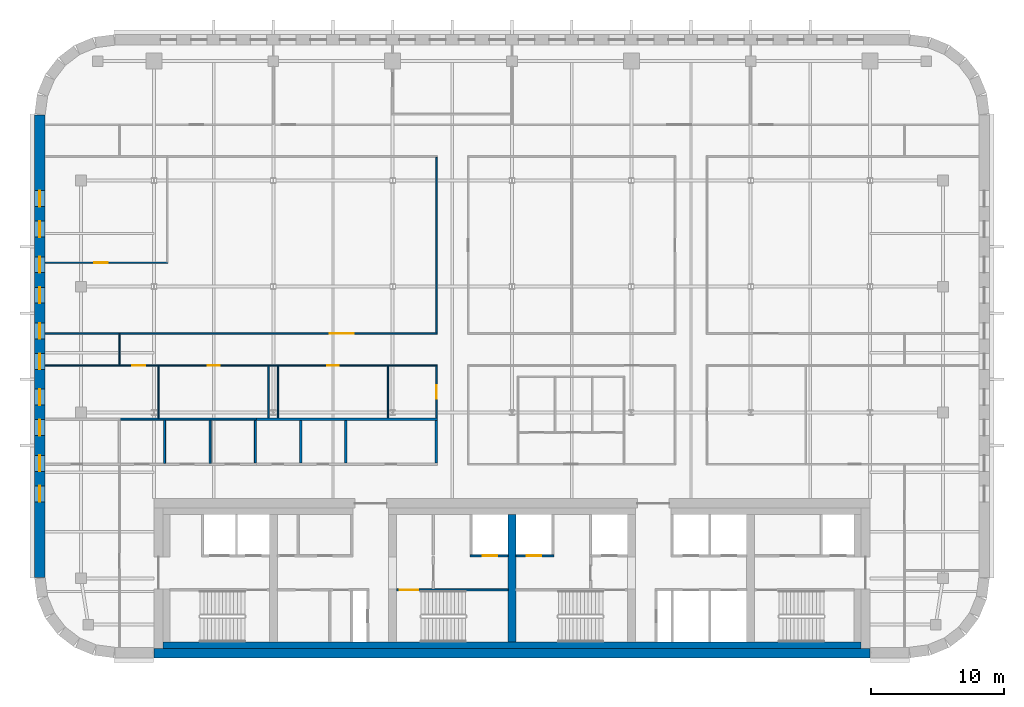
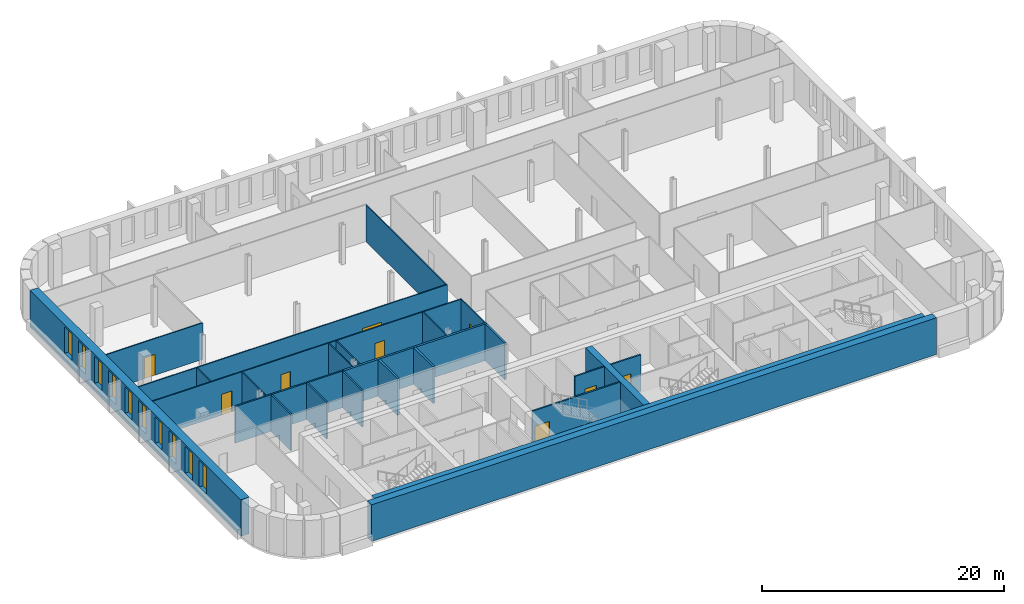
# One storey, part 7 of 15: 25 walls, 10 windows, 9 doors, 19 openings.
"""IFC4 building model written with IfcOpenShell, lengths in metres."""

from ifc_helpers import new_model, si_unit, direction, frame, frame_2d, origin, place, context, subcontext, project, spatial, rectangle, extrude, material, layer, layer_set, type_object, element, fill, save


model = new_model("IFC4")

# Units and contexts
model_context = context("Model", 3, precision=1e-05, world=origin(), true_north=direction((0.0, 1.0)))
body_context = subcontext(model_context, "Body", "Model", "MODEL_VIEW")
ifc_project = project(units=[si_unit("LENGTHUNIT", "METRE"), si_unit("AREAUNIT", "SQUARE_METRE"), si_unit("VOLUMEUNIT", "CUBIC_METRE"), si_unit("PLANEANGLEUNIT", "RADIAN"), si_unit("MASSUNIT", "GRAM", prefix="KILO")], contexts=[model_context])

# Site, building, storey
site_placement = place(None, origin())
site = spatial("IfcSite", under=ifc_project, at=site_placement, CompositionType="ELEMENT")
building_placement = place(site_placement, origin())
building = spatial("IfcBuilding", under=site, at=building_placement, Name="Zellij Exchange Tower", CompositionType="ELEMENT")
storey_placement = place(building_placement, frame((0.0, 0.0, 260.5)))
storey = spatial("IfcBuildingStorey", under=building, at=storey_placement, Name="L61", CompositionType="ELEMENT", Elevation=260.5)

# Walls
ifc_material_1 = material(Name="Concrete C50/60", Category="concrete")
ifc_layer_1 = layer(ifc_material_1, 0.60009765625)
ifc_layer_set_1 = layer_set([ifc_layer_1], Name="Concrete C50/60")
wall_type_1 = type_object("IfcWallType", Name="CORE-CW 600 C50/60", PredefinedType="SHEAR", material=ifc_layer_set_1)
wall_1_placement = place(storey_placement, frame((0.0, -12.800048828125, 0.0), z_axis=(0.0, 0.0, 1.0), x_axis=(0.0, 1.0, 0.0)))
element("IfcWall", 1, at=wall_1_placement, inside=storey, type_object=wall_type_1, Name="Core cross wall x 0 L61", PredefinedType="SHEAR", context=body_context, shape_type="SweptSolid", body=[
    extrude(rectangle(XDim=9.60009765625, YDim=0.60009765625, at=frame_2d((4.800048828125, 0.0))), origin(), (0.0, 0.0, 1.0), 3.699951171875),
])
ifc_material_2 = material(Name="Concrete C30/37", Category="concrete")
ifc_layer_2 = layer(ifc_material_2, 0.5)
ifc_layer_set_2 = layer_set([ifc_layer_2], Name="Concrete C30/37")
wall_type_2 = type_object("IfcWallType", Name="CORE-LW 500 C30/37", PredefinedType="SHEAR", material=ifc_layer_set_2)
wall_2_placement = place(storey_placement, frame((-26.300048828125, -13.050048828125, 0.0), z_axis=(0.0, 0.0, 1.0), x_axis=(1.0, 0.0, 0.0)))
element("IfcWall", 2, at=wall_2_placement, inside=storey, type_object=wall_type_2, Name="Core wall lining rear.0 L61", PredefinedType="SHEAR", context=body_context, shape_type="SweptSolid", body=[
    extrude(rectangle(XDim=52.60009765625, YDim=0.5, at=frame_2d((26.300048828125, 0.0))), origin(), (0.0, 0.0, 1.0), 3.699951171875),
])

# Wall, opening, door
ifc_material_3 = material(Name="Gypsum shaft wall system")
ifc_layer_3 = layer(ifc_material_3, 0.14990234375)
ifc_layer_set_3 = layer_set([ifc_layer_3], Name="Gypsum shaft wall system")
wall_type_3 = type_object("IfcWallType", Name="CORE-PW 150 Lift shaft wall", PredefinedType="PARTITIONING", material=ifc_layer_set_3)
wall_3_placement = place(storey_placement, frame((-3.14990234375, -6.300048828125, 0.0), z_axis=(0.0, 0.0, 1.0), x_axis=(1.0, 0.0, 0.0)))
wall_3 = element("IfcWall", 3, at=wall_3_placement, inside=storey, type_object=wall_type_3, Name="Lift shaft wall L61", PredefinedType="PARTITIONING", context=body_context, shape_type="SweptSolid", body=[
    extrude(rectangle(XDim=2.849853515625, YDim=0.14990234375, at=frame_2d((1.4248046875, 0.0))), origin(), (0.0, 0.0, 1.0), 3.699951171875),
])
opening_1_placement = place(wall_3_placement, frame((0.949951171875, 0.0, 0.0)))
opening_1 = element("IfcOpeningElement", 4, at=opening_1_placement, cuts=wall_3, Name="Opening CA-31.13", PredefinedType="OPENING", context=body_context, shape_type="SweptSolid", body=[
    extrude(rectangle(XDim=1.10009765625, YDim=2.10009765625, at=frame_2d((0.550048828125, 1.050048828125))), frame((0.0, 0.0869140625, 0.0), z_axis=(0.0, -1.0, 0.0), x_axis=(1.0, 0.0, 0.0)), (0.0, 0.0, 1.0), 0.173828125),
])
ifc_material_4 = material(Name="Hollow metal fire door")
door_type_1 = type_object("IfcDoorType", Name="CORE-D LD Lift landing door 1100x2100 1.5 HR", OperationType="NOTDEFINED", PredefinedType="DOOR", material=ifc_material_4)
door_1_placement = place(opening_1_placement, origin())
door_1 = element("IfcDoor", 5, at=door_1_placement, inside=storey, type_object=door_type_1, Name="Lift landing door CA-31.13", OperationType="SLIDING_TO_LEFT", OverallHeight=2.10009765625, OverallWidth=1.10009765625, PredefinedType="DOOR", context=body_context, shape_type="SweptSolid", body=[
    extrude(rectangle(XDim=1.10009765625, YDim=2.10009765625, at=frame_2d((0.550048828125, 1.050048828125))), frame((0.0, 0.02490234375, 0.0), z_axis=(0.0, -1.0, 0.0), x_axis=(1.0, 0.0, 0.0)), (0.0, 0.0, 1.0), 0.050048828125),
])
fill(opening_1, door_1)

wall_4_placement = place(storey_placement, frame((0.300048828125, -6.300048828125, 0.0), z_axis=(0.0, 0.0, 1.0), x_axis=(1.0, 0.0, 0.0)))
wall_4 = element("IfcWall", 6, at=wall_4_placement, inside=storey, type_object=wall_type_3, Name="Lift shaft wall L61", PredefinedType="PARTITIONING", context=body_context, shape_type="SweptSolid", body=[
    extrude(rectangle(XDim=2.849853515625, YDim=0.14990234375, at=frame_2d((1.4248046875, 0.0))), origin(), (0.0, 0.0, 1.0), 3.699951171875),
])
opening_2_placement = place(wall_4_placement, frame((0.800048828125, 0.0, 0.0)))
opening_2 = element("IfcOpeningElement", 7, at=opening_2_placement, cuts=wall_4, Name="Opening CA-31.14", PredefinedType="OPENING", context=body_context, shape_type="SweptSolid", body=[
    extrude(rectangle(XDim=1.10009765625, YDim=2.10009765625, at=frame_2d((0.550048828125, 1.050048828125))), frame((0.0, 0.0869140625, 0.0), z_axis=(0.0, -1.0, 0.0), x_axis=(1.0, 0.0, 0.0)), (0.0, 0.0, 1.0), 0.173828125),
])
door_2_placement = place(opening_2_placement, origin())
door_2 = element("IfcDoor", 8, at=door_2_placement, inside=storey, type_object=door_type_1, Name="Lift landing door CA-31.14", OperationType="SLIDING_TO_RIGHT", OverallHeight=2.10009765625, OverallWidth=1.10009765625, PredefinedType="DOOR", context=body_context, shape_type="SweptSolid", body=[
    extrude(rectangle(XDim=1.10009765625, YDim=2.10009765625, at=frame_2d((0.550048828125, 1.050048828125))), frame((0.0, 0.02490234375, 0.0), z_axis=(0.0, -1.0, 0.0), x_axis=(1.0, 0.0, 0.0)), (0.0, 0.0, 1.0), 0.050048828125),
])
fill(opening_2, door_2)

# Wall
ifc_layer_4 = layer(ifc_material_1, 0.699951171875)
ifc_layer_set_4 = layer_set([ifc_layer_4], Name="Concrete C50/60")
wall_type_4 = type_object("IfcWallType", Name="CORE-SW 700 C50/60", PredefinedType="SHEAR", material=ifc_layer_set_4)
wall_5_placement = place(storey_placement, frame((-27.0, -13.64990234375, 0.0), z_axis=(0.0, 0.0, 1.0), x_axis=(1.0, 0.0, 0.0)))
element("IfcWall", 9, at=wall_5_placement, inside=storey, type_object=wall_type_4, Name="Core shear wall rear L61", PredefinedType="SHEAR", context=body_context, shape_type="SweptSolid", body=[
    extrude(rectangle(XDim=54.0, YDim=0.699951171875, at=frame_2d((27.0, 0.0))), origin(), (0.0, 0.0, 1.0), 3.699951171875),
])

# Wall, opening, door
ifc_layer_5 = layer(ifc_material_1, 0.14990234375)
ifc_layer_set_5 = layer_set([ifc_layer_5], Name="Concrete C50/60")
wall_type_5 = type_object("IfcWallType", Name="CORE-SWS 150 C50/60", PredefinedType="SHEAR", material=ifc_layer_set_5)
wall_6_placement = place(storey_placement, frame((-8.699951171875, -8.875, 0.0), z_axis=(0.0, 0.0, 1.0), x_axis=(1.0, 0.0, 0.0)))
wall_6 = element("IfcWall", 10, at=wall_6_placement, inside=storey, type_object=wall_type_5, Name="Stair enclosure wall L61", PredefinedType="SHEAR", context=body_context, shape_type="SweptSolid", body=[
    extrude(rectangle(XDim=8.39990234375, YDim=0.14990234375, at=frame_2d((4.199951171875, 0.0))), origin(), (0.0, 0.0, 1.0), 3.699951171875),
])
opening_3_placement = place(wall_6_placement, frame((0.22509765625, 0.0, 0.0)))
opening_3 = element("IfcOpeningElement", 11, at=opening_3_placement, cuts=wall_6, Name="Opening CA-31.11", PredefinedType="OPENING", context=body_context, shape_type="SweptSolid", body=[
    extrude(rectangle(XDim=1.39990234375, YDim=2.10009765625, at=frame_2d((0.699951171875, 1.050048828125))), frame((0.0, 0.0869140625, 0.0), z_axis=(0.0, -1.0, 0.0), x_axis=(1.0, 0.0, 0.0)), (0.0, 0.0, 1.0), 0.173828125),
])
door_type_2 = type_object("IfcDoorType", Name="CORE-D SD Stair door 1400x2100 1.5 HR", OperationType="NOTDEFINED", PredefinedType="DOOR", material=ifc_material_4)
door_3_placement = place(opening_3_placement, origin())
door_3 = element("IfcDoor", 12, at=door_3_placement, inside=storey, type_object=door_type_2, Name="Stair door CA-31.11", OperationType="DOUBLE_DOOR_SINGLE_SWING", OverallHeight=2.10009765625, OverallWidth=1.39990234375, PredefinedType="DOOR", context=body_context, shape_type="SweptSolid", body=[
    extrude(rectangle(XDim=1.39990234375, YDim=2.10009765625, at=frame_2d((0.699951171875, 1.050048828125))), frame((0.0, 0.02490234375, 0.0), z_axis=(0.0, -1.0, 0.0), x_axis=(1.0, 0.0, 0.0)), (0.0, 0.0, 1.0), 0.050048828125),
])
fill(opening_3, door_3)

# Wall, openings, windows
ifc_material_5 = material(Name="Precast concrete C40/50", Category="concrete")
ifc_layer_6 = layer(ifc_material_5, 0.800048828125)
ifc_layer_set_6 = layer_set([ifc_layer_6], Name="Precast concrete C40/50")
wall_type_6 = type_object("IfcWallType", Name="ENV-EW1 Precast stone-piered wall 800", PredefinedType="SOLIDWALL", material=ifc_layer_set_6)
wall_7_placement = place(storey_placement, frame((-35.60009765625, 26.947509765625, 0.0), z_axis=(0.0, 0.0, 1.0), x_axis=(0.0, -1.0, 0.0)))
wall_7 = element("IfcWall", 13, at=wall_7_placement, inside=storey, type_object=wall_type_6, Name="fac.L61.21", PredefinedType="SOLIDWALL", context=body_context, shape_type="SweptSolid", body=[
    extrude(rectangle(XDim=34.89501953125, YDim=0.800048828125, at=frame_2d((17.447509765625, 0.0))), origin(), (0.0, 0.0, 1.0), 3.699951171875),
])
opening_4_placement = place(wall_7_placement, frame((5.71240234375, 0.0, 0.800048828125)))
opening_4 = element("IfcOpeningElement", 14, at=opening_4_placement, cuts=wall_7, Name="Opening FZ4.35", PredefinedType="OPENING", context=body_context, shape_type="SweptSolid", body=[
    extrude(rectangle(XDim=1.199951171875, YDim=2.699951171875, at=frame_2d((0.60009765625, 1.35009765625))), frame((0.0, 0.412109375, 0.0), z_axis=(0.0, -1.0, 0.0), x_axis=(1.0, 0.0, 0.0)), (0.0, 0.0, 1.0), 0.823974609375),
])
opening_5_placement = place(wall_7_placement, frame((8.0126953125, 0.0, 0.800048828125)))
opening_5 = element("IfcOpeningElement", 15, at=opening_5_placement, cuts=wall_7, Name="Opening FZ4.36", PredefinedType="OPENING", context=body_context, shape_type="SweptSolid", body=[
    extrude(rectangle(XDim=1.199951171875, YDim=2.699951171875, at=frame_2d((0.60009765625, 1.35009765625))), frame((0.0, 0.412109375, 0.0), z_axis=(0.0, -1.0, 0.0), x_axis=(1.0, 0.0, 0.0)), (0.0, 0.0, 1.0), 0.823974609375),
])
opening_6_placement = place(wall_7_placement, frame((10.705078125, 0.0, 0.800048828125)))
opening_6 = element("IfcOpeningElement", 16, at=opening_6_placement, cuts=wall_7, Name="Opening FZ4.37", PredefinedType="OPENING", context=body_context, shape_type="SweptSolid", body=[
    extrude(rectangle(XDim=1.199951171875, YDim=2.699951171875, at=frame_2d((0.60009765625, 1.35009765625))), frame((0.0, 0.412109375, 0.0), z_axis=(0.0, -1.0, 0.0), x_axis=(1.0, 0.0, 0.0)), (0.0, 0.0, 1.0), 0.823974609375),
])
opening_7_placement = place(wall_7_placement, frame((13.005126953125, 0.0, 0.800048828125)))
opening_7 = element("IfcOpeningElement", 17, at=opening_7_placement, cuts=wall_7, Name="Opening FZ4.38", PredefinedType="OPENING", context=body_context, shape_type="SweptSolid", body=[
    extrude(rectangle(XDim=1.199951171875, YDim=2.699951171875, at=frame_2d((0.60009765625, 1.35009765625))), frame((0.0, 0.412109375, 0.0), z_axis=(0.0, -1.0, 0.0), x_axis=(1.0, 0.0, 0.0)), (0.0, 0.0, 1.0), 0.823974609375),
])
opening_8_placement = place(wall_7_placement, frame((15.697509765625, 0.0, 0.800048828125)))
opening_8 = element("IfcOpeningElement", 18, at=opening_8_placement, cuts=wall_7, Name="Opening FZ4.39", PredefinedType="OPENING", context=body_context, shape_type="SweptSolid", body=[
    extrude(rectangle(XDim=1.199951171875, YDim=2.699951171875, at=frame_2d((0.60009765625, 1.35009765625))), frame((0.0, 0.412109375, 0.0), z_axis=(0.0, -1.0, 0.0), x_axis=(1.0, 0.0, 0.0)), (0.0, 0.0, 1.0), 0.823974609375),
])
opening_9_placement = place(wall_7_placement, frame((17.99755859375, 0.0, 0.800048828125)))
opening_9 = element("IfcOpeningElement", 19, at=opening_9_placement, cuts=wall_7, Name="Opening FZ4.40", PredefinedType="OPENING", context=body_context, shape_type="SweptSolid", body=[
    extrude(rectangle(XDim=1.199951171875, YDim=2.699951171875, at=frame_2d((0.60009765625, 1.35009765625))), frame((0.0, 0.412109375, 0.0), z_axis=(0.0, -1.0, 0.0), x_axis=(1.0, 0.0, 0.0)), (0.0, 0.0, 1.0), 0.823974609375),
])
opening_10_placement = place(wall_7_placement, frame((20.690185546875, 0.0, 0.800048828125)))
opening_10 = element("IfcOpeningElement", 20, at=opening_10_placement, cuts=wall_7, Name="Opening FZ4.41", PredefinedType="OPENING", context=body_context, shape_type="SweptSolid", body=[
    extrude(rectangle(XDim=1.199951171875, YDim=2.699951171875, at=frame_2d((0.60009765625, 1.35009765625))), frame((0.0, 0.412109375, 0.0), z_axis=(0.0, -1.0, 0.0), x_axis=(1.0, 0.0, 0.0)), (0.0, 0.0, 1.0), 0.823974609375),
])
opening_11_placement = place(wall_7_placement, frame((22.989990234375, 0.0, 0.800048828125)))
opening_11 = element("IfcOpeningElement", 21, at=opening_11_placement, cuts=wall_7, Name="Opening FZ4.42", PredefinedType="OPENING", context=body_context, shape_type="SweptSolid", body=[
    extrude(rectangle(XDim=1.199951171875, YDim=2.699951171875, at=frame_2d((0.60009765625, 1.35009765625))), frame((0.0, 0.412109375, 0.0), z_axis=(0.0, -1.0, 0.0), x_axis=(1.0, 0.0, 0.0)), (0.0, 0.0, 1.0), 0.823974609375),
])
opening_12_placement = place(wall_7_placement, frame((25.6826171875, 0.0, 0.800048828125)))
opening_12 = element("IfcOpeningElement", 22, at=opening_12_placement, cuts=wall_7, Name="Opening FZ4.43", PredefinedType="OPENING", context=body_context, shape_type="SweptSolid", body=[
    extrude(rectangle(XDim=1.199951171875, YDim=2.699951171875, at=frame_2d((0.60009765625, 1.35009765625))), frame((0.0, 0.412109375, 0.0), z_axis=(0.0, -1.0, 0.0), x_axis=(1.0, 0.0, 0.0)), (0.0, 0.0, 1.0), 0.823974609375),
])
opening_13_placement = place(wall_7_placement, frame((27.982666015625, 0.0, 0.800048828125)))
opening_13 = element("IfcOpeningElement", 23, at=opening_13_placement, cuts=wall_7, Name="Opening FZ4.44", PredefinedType="OPENING", context=body_context, shape_type="SweptSolid", body=[
    extrude(rectangle(XDim=1.199951171875, YDim=2.699951171875, at=frame_2d((0.60009765625, 1.35009765625))), frame((0.0, 0.412109375, 0.0), z_axis=(0.0, -1.0, 0.0), x_axis=(1.0, 0.0, 0.0)), (0.0, 0.0, 1.0), 0.823974609375),
])
ifc_material_6 = material(Name="Aluminium frame with insulating glass", Category="aluminium")
window_type = type_object("IfcWindowType", Name="ENV-W9 Window 1200x2700", PartitioningType="SINGLE_PANEL", PredefinedType="WINDOW", material=ifc_material_6)
window_1_placement = place(opening_4_placement, origin())
window_1 = element("IfcWindow", 24, at=window_1_placement, inside=storey, type_object=window_type, Name="Window FZ4.35", OverallHeight=2.699951171875, OverallWidth=1.199951171875, PartitioningType="SINGLE_PANEL", PredefinedType="WINDOW", context=body_context, shape_type="SweptSolid", body=[
    extrude(rectangle(XDim=1.199951171875, YDim=2.699951171875, at=frame_2d((0.60009765625, 1.35009765625))), frame((0.0, 0.030029296875, 0.0), z_axis=(0.0, -1.0, 0.0), x_axis=(1.0, 0.0, 0.0)), (0.0, 0.0, 1.0), 0.06005859375),
])
fill(opening_4, window_1)
window_2_placement = place(opening_5_placement, origin())
window_2 = element("IfcWindow", 25, at=window_2_placement, inside=storey, type_object=window_type, Name="Window FZ4.36", OverallHeight=2.699951171875, OverallWidth=1.199951171875, PartitioningType="SINGLE_PANEL", PredefinedType="WINDOW", context=body_context, shape_type="SweptSolid", body=[
    extrude(rectangle(XDim=1.199951171875, YDim=2.699951171875, at=frame_2d((0.60009765625, 1.35009765625))), frame((0.0, 0.030029296875, 0.0), z_axis=(0.0, -1.0, 0.0), x_axis=(1.0, 0.0, 0.0)), (0.0, 0.0, 1.0), 0.06005859375),
])
fill(opening_5, window_2)
window_3_placement = place(opening_6_placement, origin())
window_3 = element("IfcWindow", 26, at=window_3_placement, inside=storey, type_object=window_type, Name="Window FZ4.37", OverallHeight=2.699951171875, OverallWidth=1.199951171875, PartitioningType="SINGLE_PANEL", PredefinedType="WINDOW", context=body_context, shape_type="SweptSolid", body=[
    extrude(rectangle(XDim=1.199951171875, YDim=2.699951171875, at=frame_2d((0.60009765625, 1.35009765625))), frame((0.0, 0.030029296875, 0.0), z_axis=(0.0, -1.0, 0.0), x_axis=(1.0, 0.0, 0.0)), (0.0, 0.0, 1.0), 0.06005859375),
])
fill(opening_6, window_3)
window_4_placement = place(opening_7_placement, origin())
window_4 = element("IfcWindow", 27, at=window_4_placement, inside=storey, type_object=window_type, Name="Window FZ4.38", OverallHeight=2.699951171875, OverallWidth=1.199951171875, PartitioningType="SINGLE_PANEL", PredefinedType="WINDOW", context=body_context, shape_type="SweptSolid", body=[
    extrude(rectangle(XDim=1.199951171875, YDim=2.699951171875, at=frame_2d((0.60009765625, 1.35009765625))), frame((0.0, 0.030029296875, 0.0), z_axis=(0.0, -1.0, 0.0), x_axis=(1.0, 0.0, 0.0)), (0.0, 0.0, 1.0), 0.06005859375),
])
fill(opening_7, window_4)
window_5_placement = place(opening_8_placement, origin())
window_5 = element("IfcWindow", 28, at=window_5_placement, inside=storey, type_object=window_type, Name="Window FZ4.39", OverallHeight=2.699951171875, OverallWidth=1.199951171875, PartitioningType="SINGLE_PANEL", PredefinedType="WINDOW", context=body_context, shape_type="SweptSolid", body=[
    extrude(rectangle(XDim=1.199951171875, YDim=2.699951171875, at=frame_2d((0.60009765625, 1.35009765625))), frame((0.0, 0.030029296875, 0.0), z_axis=(0.0, -1.0, 0.0), x_axis=(1.0, 0.0, 0.0)), (0.0, 0.0, 1.0), 0.06005859375),
])
fill(opening_8, window_5)
window_6_placement = place(opening_9_placement, origin())
window_6 = element("IfcWindow", 29, at=window_6_placement, inside=storey, type_object=window_type, Name="Window FZ4.40", OverallHeight=2.699951171875, OverallWidth=1.199951171875, PartitioningType="SINGLE_PANEL", PredefinedType="WINDOW", context=body_context, shape_type="SweptSolid", body=[
    extrude(rectangle(XDim=1.199951171875, YDim=2.699951171875, at=frame_2d((0.60009765625, 1.35009765625))), frame((0.0, 0.030029296875, 0.0), z_axis=(0.0, -1.0, 0.0), x_axis=(1.0, 0.0, 0.0)), (0.0, 0.0, 1.0), 0.06005859375),
])
fill(opening_9, window_6)
window_7_placement = place(opening_10_placement, origin())
window_7 = element("IfcWindow", 30, at=window_7_placement, inside=storey, type_object=window_type, Name="Window FZ4.41", OverallHeight=2.699951171875, OverallWidth=1.199951171875, PartitioningType="SINGLE_PANEL", PredefinedType="WINDOW", context=body_context, shape_type="SweptSolid", body=[
    extrude(rectangle(XDim=1.199951171875, YDim=2.699951171875, at=frame_2d((0.60009765625, 1.35009765625))), frame((0.0, 0.030029296875, 0.0), z_axis=(0.0, -1.0, 0.0), x_axis=(1.0, 0.0, 0.0)), (0.0, 0.0, 1.0), 0.06005859375),
])
fill(opening_10, window_7)
window_8_placement = place(opening_11_placement, origin())
window_8 = element("IfcWindow", 31, at=window_8_placement, inside=storey, type_object=window_type, Name="Window FZ4.42", OverallHeight=2.699951171875, OverallWidth=1.199951171875, PartitioningType="SINGLE_PANEL", PredefinedType="WINDOW", context=body_context, shape_type="SweptSolid", body=[
    extrude(rectangle(XDim=1.199951171875, YDim=2.699951171875, at=frame_2d((0.60009765625, 1.35009765625))), frame((0.0, 0.030029296875, 0.0), z_axis=(0.0, -1.0, 0.0), x_axis=(1.0, 0.0, 0.0)), (0.0, 0.0, 1.0), 0.06005859375),
])
fill(opening_11, window_8)
window_9_placement = place(opening_12_placement, origin())
window_9 = element("IfcWindow", 32, at=window_9_placement, inside=storey, type_object=window_type, Name="Window FZ4.43", OverallHeight=2.699951171875, OverallWidth=1.199951171875, PartitioningType="SINGLE_PANEL", PredefinedType="WINDOW", context=body_context, shape_type="SweptSolid", body=[
    extrude(rectangle(XDim=1.199951171875, YDim=2.699951171875, at=frame_2d((0.60009765625, 1.35009765625))), frame((0.0, 0.030029296875, 0.0), z_axis=(0.0, -1.0, 0.0), x_axis=(1.0, 0.0, 0.0)), (0.0, 0.0, 1.0), 0.06005859375),
])
fill(opening_12, window_9)
window_10_placement = place(opening_13_placement, origin())
window_10 = element("IfcWindow", 33, at=window_10_placement, inside=storey, type_object=window_type, Name="Window FZ4.44", OverallHeight=2.699951171875, OverallWidth=1.199951171875, PartitioningType="SINGLE_PANEL", PredefinedType="WINDOW", context=body_context, shape_type="SweptSolid", body=[
    extrude(rectangle(XDim=1.199951171875, YDim=2.699951171875, at=frame_2d((0.60009765625, 1.35009765625))), frame((0.0, 0.030029296875, 0.0), z_axis=(0.0, -1.0, 0.0), x_axis=(1.0, 0.0, 0.0)), (0.0, 0.0, 1.0), 0.06005859375),
])
fill(opening_13, window_10)

# Walls
ifc_material_7 = material(Name="Blockwork partition", Category="masonry")
ifc_layer_7 = layer(ifc_material_7, 0.199951171875)
ifc_layer_set_7 = layer_set([ifc_layer_7], Name="Blockwork partition")
wall_type_7 = type_object("IfcWallType", Name="FIT-BLOCKWORK-200", PredefinedType="PARTITIONING", material=ifc_layer_set_7)
for number, where, z_axis, x_axis, name in (
    (34, (-15.93994140625, 0.699951171875, 0.0), (0.0, 0.0, 1.0), (0.0, 1.0, 0.0), "FIT-BLOCKWORK-200 011"),
    (35, (-12.530029296875, 0.699951171875, 0.0), (0.0, 0.0, 1.0), (0.0, 1.0, 0.0), "FIT-BLOCKWORK-200 012"),
    (36, (-5.699951171875, 0.699951171875, 0.0), (0.0, 0.0, 1.0), (0.0, 1.0, 0.0), "FIT-BLOCKWORK-200 013"),
):
    element("IfcWall", number, at=place(storey_placement, frame(where, z_axis=z_axis, x_axis=x_axis)), inside=storey, type_object=wall_type_7, Name=name, PredefinedType="PARTITIONING", context=body_context, shape_type="SweptSolid", body=[
        extrude(rectangle(XDim=3.199951171875, YDim=0.199951171875, at=frame_2d((1.60009765625, 0.0))), origin(), (0.0, 0.0, 1.0), 3.699951171875),
    ])
wall_8_placement = place(storey_placement, frame((-19.43505859375, 4.0, 0.0), z_axis=(0.0, 0.0, 1.0), x_axis=(1.0, 0.0, 0.0)))
element("IfcWall", 37, at=wall_8_placement, inside=storey, type_object=wall_type_7, Name="FIT-BLOCKWORK-200 028", PredefinedType="PARTITIONING", context=body_context, shape_type="SweptSolid", body=[
    extrude(rectangle(XDim=13.8349609375, YDim=0.199951171875, at=frame_2d((6.91748046875, 0.0))), origin(), (0.0, 0.0, 1.0), 3.699951171875),
])
ifc_material_8 = material(Name="Gypsum board partition on steel studs", Category="steel")
ifc_layer_8 = layer(ifc_material_8, 0.10009765625)
ifc_layer_set_8 = layer_set([ifc_layer_8], Name="Gypsum board partition on steel studs")
wall_type_8 = type_object("IfcWallType", Name="FIT-PARTITION-100", PredefinedType="PARTITIONING", material=ifc_layer_set_8)
wall_9_placement = place(storey_placement, frame((-26.64990234375, 4.074951171875, 0.0), z_axis=(0.0, 0.0, 1.0), x_axis=(0.0, 1.0, 0.0)))
element("IfcWall", 38, at=wall_9_placement, inside=storey, type_object=wall_type_8, Name="FIT-PARTITION-100 027", PredefinedType="PARTITIONING", context=body_context, shape_type="SweptSolid", body=[
    extrude(rectangle(XDim=3.925048828125, YDim=0.10009765625, at=frame_2d((1.96240234375, 0.0))), origin(), (0.0, 0.0, 1.0), 3.699951171875),
])
for number, where, z_axis, x_axis, name in (
    (39, (-18.35009765625, 4.10009765625, 0.0), (0.0, 0.0, 1.0), (0.0, 1.0, 0.0), "FIT-PARTITION-100 029"),
    (40, (-17.64990234375, 4.10009765625, 0.0), (0.0, 0.0, 1.0), (0.0, 1.0, 0.0), "FIT-PARTITION-100 030"),
    (41, (-9.35009765625, 4.10009765625, 0.0), (0.0, 0.0, 1.0), (0.0, 1.0, 0.0), "FIT-PARTITION-100 031"),
):
    element("IfcWall", number, at=place(storey_placement, frame(where, z_axis=z_axis, x_axis=x_axis)), inside=storey, type_object=wall_type_8, Name=name, PredefinedType="PARTITIONING", context=body_context, shape_type="SweptSolid", body=[
        extrude(rectangle(XDim=3.89990234375, YDim=0.10009765625, at=frame_2d((1.949951171875, 0.0))), origin(), (0.0, 0.0, 1.0), 3.699951171875),
    ])

# Wall, opening, door
wall_10_placement = place(storey_placement, frame((-5.699951171875, 4.10009765625, 0.0), z_axis=(0.0, 0.0, 1.0), x_axis=(0.0, 1.0, 0.0)))
wall_10 = element("IfcWall", 42, at=wall_10_placement, inside=storey, type_object=wall_type_8, Name="FIT-PARTITION-100 032", PredefinedType="PARTITIONING", context=body_context, shape_type="SweptSolid", body=[
    extrude(rectangle(XDim=3.89990234375, YDim=0.10009765625, at=frame_2d((1.949951171875, 0.0))), origin(), (0.0, 0.0, 1.0), 3.699951171875),
])
opening_14_placement = place(wall_10_placement, frame((1.449951171875, 0.0, 0.0)))
opening_14 = element("IfcOpeningElement", 43, at=opening_14_placement, cuts=wall_10, Name="Opening O4F.16", PredefinedType="OPENING", context=body_context, shape_type="SweptSolid", body=[
    extrude(rectangle(XDim=1.0, YDim=2.10009765625, at=frame_2d((0.5, 1.050048828125))), frame((0.0, 0.06201171875, 0.0), z_axis=(0.0, -1.0, 0.0), x_axis=(1.0, 0.0, 0.0)), (0.0, 0.0, 1.0), 0.1240234375),
])
ifc_material_9 = material(Name="Timber door set", Category="wood")
door_type_3 = type_object("IfcDoorType", Name="FIT-D2-WIDE-1000X2100", OperationType="SINGLE_SWING_LEFT", PredefinedType="DOOR", material=ifc_material_9)
door_4_placement = place(opening_14_placement, origin())
door_4 = element("IfcDoor", 44, at=door_4_placement, inside=storey, type_object=door_type_3, Name="Door O4F.16", OperationType="SINGLE_SWING_LEFT", OverallHeight=2.10009765625, OverallWidth=1.0, PredefinedType="DOOR", context=body_context, shape_type="SweptSolid", body=[
    extrude(rectangle(XDim=1.0, YDim=2.10009765625, at=frame_2d((0.5, 1.050048828125))), frame((0.0, 0.02490234375, 0.0), z_axis=(0.0, -1.0, 0.0), x_axis=(1.0, 0.0, 0.0)), (0.0, 0.0, 1.0), 0.050048828125),
])
fill(opening_14, door_4)

# Wall, openings, doors
wall_11_placement = place(storey_placement, frame((-35.199951171875, 8.050048828125, 0.0), z_axis=(0.0, 0.0, 1.0), x_axis=(1.0, 0.0, 0.0)))
wall_11 = element("IfcWall", 45, at=wall_11_placement, inside=storey, type_object=wall_type_8, Name="FIT-PARTITION-100 034", PredefinedType="PARTITIONING", context=body_context, shape_type="SweptSolid", body=[
    extrude(rectangle(XDim=29.550048828125, YDim=0.10009765625, at=frame_2d((14.77490234375, 0.0))), origin(), (0.0, 0.0, 1.0), 3.699951171875),
])
opening_15_placement = place(wall_11_placement, frame((6.550048828125, 0.0, 0.0)))
opening_15 = element("IfcOpeningElement", 46, at=opening_15_placement, cuts=wall_11, Name="Opening O4F.17", PredefinedType="OPENING", context=body_context, shape_type="SweptSolid", body=[
    extrude(rectangle(XDim=1.0, YDim=2.10009765625, at=frame_2d((0.5, 1.050048828125))), frame((0.0, 0.06201171875, 0.0), z_axis=(0.0, -1.0, 0.0), x_axis=(1.0, 0.0, 0.0)), (0.0, 0.0, 1.0), 0.1240234375),
])
opening_16_placement = place(wall_11_placement, frame((12.25, 0.0, 0.0)))
opening_16 = element("IfcOpeningElement", 47, at=opening_16_placement, cuts=wall_11, Name="Opening O4F.18", PredefinedType="OPENING", context=body_context, shape_type="SweptSolid", body=[
    extrude(rectangle(XDim=0.89990234375, YDim=2.10009765625, at=frame_2d((0.449951171875, 1.050048828125))), frame((0.0, 0.06201171875, 0.0), z_axis=(0.0, -1.0, 0.0), x_axis=(1.0, 0.0, 0.0)), (0.0, 0.0, 1.0), 0.1240234375),
])
opening_17_placement = place(wall_11_placement, frame((21.25, 0.0, 0.0)))
opening_17 = element("IfcOpeningElement", 48, at=opening_17_placement, cuts=wall_11, Name="Opening O4F.19", PredefinedType="OPENING", context=body_context, shape_type="SweptSolid", body=[
    extrude(rectangle(XDim=0.89990234375, YDim=2.10009765625, at=frame_2d((0.449951171875, 1.050048828125))), frame((0.0, 0.06201171875, 0.0), z_axis=(0.0, -1.0, 0.0), x_axis=(1.0, 0.0, 0.0)), (0.0, 0.0, 1.0), 0.1240234375),
])
door_type_4 = type_object("IfcDoorType", Name="FIT-D1-ROOM-900X2100", OperationType="SINGLE_SWING_LEFT", PredefinedType="DOOR", material=ifc_material_9)
door_5_placement = place(opening_16_placement, origin())
door_5 = element("IfcDoor", 49, at=door_5_placement, inside=storey, type_object=door_type_4, Name="Door O4F.18", OperationType="SINGLE_SWING_LEFT", OverallHeight=2.10009765625, OverallWidth=0.89990234375, PredefinedType="DOOR", context=body_context, shape_type="SweptSolid", body=[
    extrude(rectangle(XDim=0.89990234375, YDim=2.10009765625, at=frame_2d((0.449951171875, 1.050048828125))), frame((0.0, 0.02490234375, 0.0), z_axis=(0.0, -1.0, 0.0), x_axis=(1.0, 0.0, 0.0)), (0.0, 0.0, 1.0), 0.050048828125),
])
fill(opening_16, door_5)
door_6_placement = place(opening_17_placement, origin())
door_6 = element("IfcDoor", 50, at=door_6_placement, inside=storey, type_object=door_type_4, Name="Door O4F.19", OperationType="SINGLE_SWING_LEFT", OverallHeight=2.10009765625, OverallWidth=0.89990234375, PredefinedType="DOOR", context=body_context, shape_type="SweptSolid", body=[
    extrude(rectangle(XDim=0.89990234375, YDim=2.10009765625, at=frame_2d((0.449951171875, 1.050048828125))), frame((0.0, 0.02490234375, 0.0), z_axis=(0.0, -1.0, 0.0), x_axis=(1.0, 0.0, 0.0)), (0.0, 0.0, 1.0), 0.050048828125),
])
fill(opening_17, door_6)
door_7_placement = place(opening_15_placement, origin())
door_7 = element("IfcDoor", 51, at=door_7_placement, inside=storey, type_object=door_type_3, Name="Door O4F.17", OperationType="SINGLE_SWING_LEFT", OverallHeight=2.10009765625, OverallWidth=1.0, PredefinedType="DOOR", context=body_context, shape_type="SweptSolid", body=[
    extrude(rectangle(XDim=1.0, YDim=2.10009765625, at=frame_2d((0.5, 1.050048828125))), frame((0.0, 0.02490234375, 0.0), z_axis=(0.0, -1.0, 0.0), x_axis=(1.0, 0.0, 0.0)), (0.0, 0.0, 1.0), 0.050048828125),
])
fill(opening_15, door_7)

# Wall
wall_12_placement = place(storey_placement, frame((-29.60009765625, 8.10009765625, 0.0), z_axis=(0.0, 0.0, 1.0), x_axis=(0.0, 1.0, 0.0)))
element("IfcWall", 52, at=wall_12_placement, inside=storey, type_object=wall_type_8, Name="FIT-PARTITION-100 035", PredefinedType="PARTITIONING", context=body_context, shape_type="SweptSolid", body=[
    extrude(rectangle(XDim=2.2998046875, YDim=0.10009765625, at=frame_2d((1.14990234375, 0.0))), origin(), (0.0, 0.0, 1.0), 3.699951171875),
])

# Wall, opening, door
wall_13_placement = place(storey_placement, frame((-35.199951171875, 10.449951171875, 0.0), z_axis=(0.0, 0.0, 1.0), x_axis=(1.0, 0.0, 0.0)))
wall_13 = element("IfcWall", 53, at=wall_13_placement, inside=storey, type_object=wall_type_8, Name="FIT-PARTITION-100 039", PredefinedType="PARTITIONING", context=body_context, shape_type="SweptSolid", body=[
    extrude(rectangle(XDim=29.550048828125, YDim=0.10009765625, at=frame_2d((14.77490234375, 0.0))), origin(), (0.0, 0.0, 1.0), 3.699951171875),
])
opening_18_placement = place(wall_13_placement, frame((21.449951171875, 0.0, 0.0)))
opening_18 = element("IfcOpeningElement", 54, at=opening_18_placement, cuts=wall_13, Name="Opening O4F.21", PredefinedType="OPENING", context=body_context, shape_type="SweptSolid", body=[
    extrude(rectangle(XDim=1.800048828125, YDim=2.10009765625, at=frame_2d((0.89990234375, 1.050048828125))), frame((0.0, 0.06201171875, 0.0), z_axis=(0.0, -1.0, 0.0), x_axis=(1.0, 0.0, 0.0)), (0.0, 0.0, 1.0), 0.1240234375),
])
door_type_5 = type_object("IfcDoorType", Name="FIT-D3-DOUBLE-1800X2100", OperationType="DOUBLE_DOOR_SINGLE_SWING", PredefinedType="DOOR", material=ifc_material_9)
door_8_placement = place(opening_18_placement, origin())
door_8 = element("IfcDoor", 55, at=door_8_placement, inside=storey, type_object=door_type_5, Name="Door O4F.21", OperationType="DOUBLE_DOOR_SINGLE_SWING", OverallHeight=2.10009765625, OverallWidth=1.800048828125, PredefinedType="DOOR", context=body_context, shape_type="SweptSolid", body=[
    extrude(rectangle(XDim=1.800048828125, YDim=2.10009765625, at=frame_2d((0.89990234375, 1.050048828125))), frame((0.0, 0.02490234375, 0.0), z_axis=(0.0, -1.0, 0.0), x_axis=(1.0, 0.0, 0.0)), (0.0, 0.0, 1.0), 0.050048828125),
])
fill(opening_18, door_8)

# Wall
wall_14_placement = place(storey_placement, frame((-5.699951171875, 10.5, 0.0), z_axis=(0.0, 0.0, 1.0), x_axis=(0.0, 1.0, 0.0)))
element("IfcWall", 56, at=wall_14_placement, inside=storey, type_object=wall_type_8, Name="FIT-PARTITION-100 040", PredefinedType="PARTITIONING", context=body_context, shape_type="SweptSolid", body=[
    extrude(rectangle(XDim=13.25, YDim=0.10009765625, at=frame_2d((6.625, 0.0))), origin(), (0.0, 0.0, 1.0), 3.699951171875),
])

# Wall, opening, door
wall_15_placement = place(storey_placement, frame((-35.199951171875, 15.800048828125, 0.0), z_axis=(0.0, 0.0, 1.0), x_axis=(1.0, 0.0, 0.0)))
wall_15 = element("IfcWall", 57, at=wall_15_placement, inside=storey, type_object=wall_type_8, Name="FIT-PARTITION-100 047", PredefinedType="PARTITIONING", context=body_context, shape_type="SweptSolid", body=[
    extrude(rectangle(XDim=9.25, YDim=0.10009765625, at=frame_2d((4.625, 0.0))), origin(), (0.0, 0.0, 1.0), 3.699951171875),
])
opening_19_placement = place(wall_15_placement, frame((3.699951171875, 0.0, 0.0)))
opening_19 = element("IfcOpeningElement", 58, at=opening_19_placement, cuts=wall_15, Name="Opening O4F.23", PredefinedType="OPENING", context=body_context, shape_type="SweptSolid", body=[
    extrude(rectangle(XDim=1.0, YDim=2.10009765625, at=frame_2d((0.5, 1.050048828125))), frame((0.0, 0.06201171875, 0.0), z_axis=(0.0, -1.0, 0.0), x_axis=(1.0, 0.0, 0.0)), (0.0, 0.0, 1.0), 0.1240234375),
])
door_9_placement = place(opening_19_placement, origin())
door_9 = element("IfcDoor", 59, at=door_9_placement, inside=storey, type_object=door_type_3, Name="Door O4F.23", OperationType="SINGLE_SWING_RIGHT", OverallHeight=2.10009765625, OverallWidth=1.0, PredefinedType="DOOR", context=body_context, shape_type="SweptSolid", body=[
    extrude(rectangle(XDim=1.0, YDim=2.10009765625, at=frame_2d((0.5, 1.050048828125))), frame((0.0, 0.02490234375, 0.0), z_axis=(0.0, -1.0, 0.0), x_axis=(1.0, 0.0, 0.0)), (0.0, 0.0, 1.0), 0.050048828125),
])
fill(opening_19, door_9)

# Walls
ifc_material_10 = material(Name="Gypsum board shaft-wall partition", Category="gypsum")
ifc_layer_9 = layer(ifc_material_10, 0.14990234375)
ifc_layer_set_9 = layer_set([ifc_layer_9], Name="Gypsum board shaft-wall partition")
wall_type_9 = type_object("IfcWallType", Name="FIT-PARTITION-150-EI60", PredefinedType="PARTITIONING", material=ifc_layer_set_9)
for number, where, z_axis, x_axis, name in (
    (60, (-26.18994140625, 0.675048828125, 0.0), (0.0, 0.0, 1.0), (0.0, 1.0, 0.0), "FIT-PARTITION-150-EI60 007"),
    (61, (-22.77001953125, 0.675048828125, 0.0), (0.0, 0.0, 1.0), (0.0, 1.0, 0.0), "FIT-PARTITION-150-EI60 008"),
):
    element("IfcWall", number, at=place(storey_placement, frame(where, z_axis=z_axis, x_axis=x_axis)), inside=storey, type_object=wall_type_9, Name=name, PredefinedType="PARTITIONING", context=body_context, shape_type="SweptSolid", body=[
        extrude(rectangle(XDim=3.25, YDim=0.14990234375, at=frame_2d((1.625, 0.0))), origin(), (0.0, 0.0, 1.0), 3.699951171875),
    ])
wall_16_placement = place(storey_placement, frame((-19.360107421875, 0.699951171875, 0.0), z_axis=(0.0, 0.0, 1.0), x_axis=(0.0, 1.0, 0.0)))
element("IfcWall", 62, at=wall_16_placement, inside=storey, type_object=wall_type_9, Name="FIT-PARTITION-150-EI60 010", PredefinedType="PARTITIONING", context=body_context, shape_type="SweptSolid", body=[
    extrude(rectangle(XDim=3.199951171875, YDim=0.14990234375, at=frame_2d((1.60009765625, 0.0))), origin(), (0.0, 0.0, 1.0), 3.699951171875),
])
wall_17_placement = place(storey_placement, frame((-29.675048828125, 4.0, 0.0), z_axis=(0.0, 0.0, 1.0), x_axis=(1.0, 0.0, 0.0)))
element("IfcWall", 63, at=wall_17_placement, inside=storey, type_object=wall_type_9, Name="FIT-PARTITION-150-EI60 026", PredefinedType="PARTITIONING", context=body_context, shape_type="SweptSolid", body=[
    extrude(rectangle(XDim=10.39013671875, YDim=0.14990234375, at=frame_2d((5.195068359375, 0.0))), origin(), (0.0, 0.0, 1.0), 3.699951171875),
])

save(model, "model.ifc")
